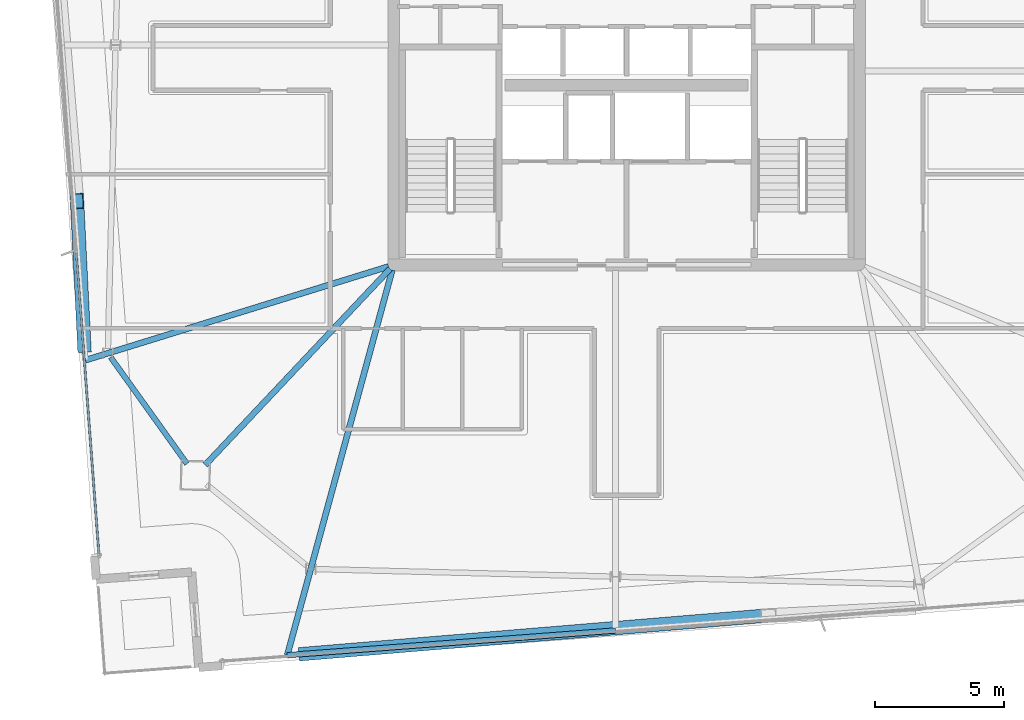
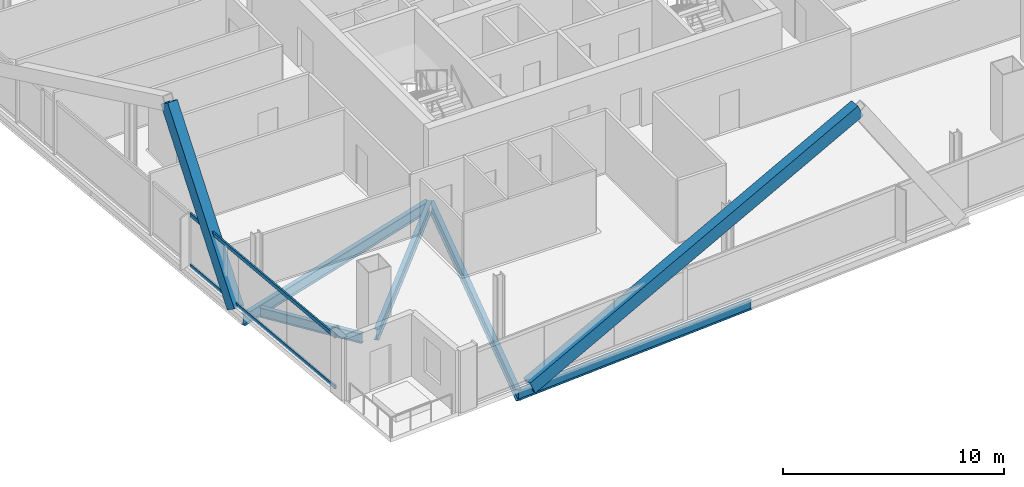
# One storey, part 3 of 23: 5 beams, 4 members, 1 element without a shape of its own.
"""IFC4 building model written with IfcOpenShell, lengths in metres."""

from ifc_helpers import new_model, si_unit, direction, frame, origin, origin_2d, place, context, subcontext, project, spatial, hollow_rectangle, i_section, extrude, material, material_profile, profile_set, type_object, element, aggregate, save


model = new_model("IFC4")

# Units and contexts
model_context = context("Model", 3, precision=1e-05, world=origin(), true_north=direction((0.0, 1.0)))
body_context = subcontext(model_context, "Body", "Model", "MODEL_VIEW")
ifc_project = project(units=[si_unit("LENGTHUNIT", "METRE"), si_unit("AREAUNIT", "SQUARE_METRE"), si_unit("VOLUMEUNIT", "CUBIC_METRE"), si_unit("PLANEANGLEUNIT", "RADIAN"), si_unit("MASSUNIT", "GRAM", prefix="KILO")], contexts=[model_context])

# Site, building, storey
site_placement = place(None, origin())
site = spatial("IfcSite", under=ifc_project, at=site_placement, CompositionType="ELEMENT")
building_placement = place(site_placement, origin())
building = spatial("IfcBuilding", under=site, at=building_placement, Name="Haldenkirk Collegiate Tower", CompositionType="ELEMENT")
storey_placement = place(building_placement, frame((0.0, 0.0, 343.949951171875)))
storey = spatial("IfcBuildingStorey", under=building, at=storey_placement, Name="L87", CompositionType="ELEMENT", Elevation=343.949951171875)

# Beams
ifc_material_1 = material(Name="Steel ASTM A992 Grade 50", Category="steel")
ifc_material_profile_1 = material_profile(ifc_material_1, i_section(OverallWidth=0.22998046875, OverallDepth=0.616943359375, WebThickness=0.01318359375, FlangeThickness=0.022216796875, at=origin_2d()), Name="W24X94")
ifc_profile_set_1 = profile_set([ifc_material_profile_1], Name="Steel ASTM A992 Grade 50")
beam_type_1 = type_object("IfcBeamType", Name="BM-GIRDER-W24X94", PredefinedType="BEAM", material=ifc_profile_set_1)
beam_1_placement = place(storey_placement, frame((19.717041015625, 10.2705078125, -0.568359375), z_axis=(0.685767478835, 0.72782069562, 0.0), x_axis=(-0.72782069562, 0.685767478835, 0.0)))
element("IfcBeam", 1, at=beam_1_placement, inside=storey, type_object=beam_type_1, Name="L87 primary floor girder 04", PredefinedType="BEAM", context=body_context, shape_type="SweptSolid", body=[
    extrude(i_section(OverallWidth=0.22998046875, OverallDepth=0.616943359375, WebThickness=0.01318359375, FlangeThickness=0.022216796875, at=origin_2d()), origin(), (0.0, 0.0, 1.0), 10.4150390625),
])
beam_2_placement = place(storey_placement, frame((15.0869140625, 14.319580078125, -0.568359375), z_axis=(0.955444807213, 0.295169816155, 0.0), x_axis=(-0.295169816155, 0.955444807213, 0.0)))
element("IfcBeam", 2, at=beam_2_placement, inside=storey, type_object=beam_type_1, Name="L87 primary floor girder 13", PredefinedType="BEAM", context=body_context, shape_type="SweptSolid", body=[
    extrude(i_section(OverallWidth=0.22998046875, OverallDepth=0.616943359375, WebThickness=0.01318359375, FlangeThickness=0.022216796875, at=origin_2d()), origin(), (0.0, 0.0, 1.0), 12.263671875),
])
beam_3_placement = place(storey_placement, frame((22.88818359375, 2.922119140625, -0.568359375), z_axis=(0.26309597552, 0.964769665602, 0.0), x_axis=(-0.964769665602, 0.26309597552, 0.0)))
element("IfcBeam", 3, at=beam_3_placement, inside=storey, type_object=beam_type_1, Name="L87 primary floor girder 14", PredefinedType="BEAM", context=body_context, shape_type="SweptSolid", body=[
    extrude(i_section(OverallWidth=0.22998046875, OverallDepth=0.616943359375, WebThickness=0.01318359375, FlangeThickness=0.022216796875, at=origin_2d()), origin(), (0.0, 0.0, 1.0), 15.423583984375),
])
ifc_material_profile_2 = material_profile(ifc_material_1, i_section(OverallWidth=0.2099609375, OverallDepth=0.537109375, WebThickness=0.010986328125, FlangeThickness=0.017333984375, at=origin_2d()), Name="W21X68")
ifc_profile_set_2 = profile_set([ifc_material_profile_2], Name="Steel ASTM A992 Grade 50")
beam_type_2 = type_object("IfcBeamType", Name="BM-SPANDREL-W21X68", PredefinedType="SPANDREL", material=ifc_profile_set_2)
beam_4_placement = place(storey_placement, frame((16.064208984375, 14.434814453125, -0.528564453125), z_axis=(0.582300220922, -0.812973832737, 0.0), x_axis=(0.812973832737, 0.582300220922, 0.0)))
element("IfcBeam", 4, at=beam_4_placement, inside=storey, type_object=beam_type_2, Name="L87 perimeter spandrel beam 12", PredefinedType="SPANDREL", context=body_context, shape_type="SweptSolid", body=[
    extrude(i_section(OverallWidth=0.2099609375, OverallDepth=0.537109375, WebThickness=0.010986328125, FlangeThickness=0.017333984375, at=origin_2d()), origin(), (0.0, 0.0, 1.0), 5.064453125),
])
beam_5_placement = place(storey_placement, frame((22.88818359375, 2.922119140625, -0.528564453125), z_axis=(0.997186586536, 0.074959399901, 0.0), x_axis=(-0.074959399901, 0.997186586536, 0.0)))
element("IfcBeam", 5, at=beam_5_placement, inside=storey, type_object=beam_type_2, Name="L87 outer facade edge beam 4A", PredefinedType="SPANDREL", context=body_context, shape_type="SweptSolid", body=[
    extrude(i_section(OverallWidth=0.2099609375, OverallDepth=0.537109375, WebThickness=0.010986328125, FlangeThickness=0.017333984375, at=origin_2d()), origin(), (0.0, 0.0, 1.0), 12.71533203125),
])

# Curtain wall, members
ifc_material_2 = material(Name="Anodised architectural bronze aluminium", Category="aluminium")
curtain_wall_type = type_object("IfcCurtainWallType", Name="CW-SYS1B-CONVEX-HI", PredefinedType="USERDEFINED", material=ifc_material_2)
curtain_wall_placement = place(storey_placement, origin())
curtain_wall = element("IfcCurtainWall", 6, at=curtain_wall_placement, inside=storey, type_object=curtain_wall_type, Name="L87 Upper tower high-wind convex bronze unitised curtain wall", ObjectType="UNITISED CURTAIN WALL", PredefinedType="USERDEFINED")
ifc_material_profile_3 = material_profile(ifc_material_2, hollow_rectangle(XDim=0.0849609375, YDim=0.199951171875, WallThickness=0.0048828125, at=origin_2d()), Name="CW-TRN-1B")
ifc_profile_set_3 = profile_set([ifc_material_profile_3], Name="Anodised architectural bronze aluminium")
member_type_1 = type_object("IfcMemberType", Name="CW-TRN-1B", PredefinedType="USERDEFINED", material=ifc_profile_set_3)
member_1_placement = place(storey_placement, frame((15.608154296875, 6.85205078125, 0.04248046875), z_axis=(-0.074967243435, 0.997185996899, 0.0), x_axis=(-0.997185996899, -0.074967243435, 0.0)))
member_1 = element("IfcMember", 7, at=member_1_placement, type_object=member_type_1, Name="CW-1B transom 1.1", ObjectType="TRANSOM", PredefinedType="USERDEFINED", context=body_context, shape_type="SweptSolid", body=[
    extrude(hollow_rectangle(XDim=0.0849609375, YDim=0.199951171875, WallThickness=0.0048828125, at=origin_2d()), origin(), (0.0, 0.0, 1.0), 11.63916015625),
])
member_2_placement = place(storey_placement, frame((15.608154296875, 6.85205078125, 2.845458984375), z_axis=(-0.074967243435, 0.997185996899, 0.0), x_axis=(-0.997185996899, -0.074967243435, 0.0)))
member_2 = element("IfcMember", 8, at=member_2_placement, type_object=member_type_1, Name="CW-1B transom 1.2", ObjectType="TRANSOM", PredefinedType="USERDEFINED", context=body_context, shape_type="SweptSolid", body=[
    extrude(hollow_rectangle(XDim=0.0849609375, YDim=0.199951171875, WallThickness=0.0048828125, at=origin_2d()), origin(), (0.0, 0.0, 1.0), 11.63916015625),
])
aggregate(curtain_wall, [member_1, member_2])

# Members
ifc_material_3 = material(Name="Steel ASTM A572 Grade 50", Category="steel")
ifc_material_profile_4 = material_profile(ifc_material_3, hollow_rectangle(XDim=0.52001953125, YDim=0.719970703125, WallThickness=0.035888671875, at=origin_2d()), Name="BOX720X520X36")
ifc_profile_set_4 = profile_set([ifc_material_profile_4], Name="Steel ASTM A572 Grade 50")
member_type_2 = type_object("IfcMemberType", Name="MBR-MEGABRACE-BOX720X520X36", PredefinedType="BRACE", material=ifc_profile_set_4)
member_3_placement = place(storey_placement, frame((15.0419921875, 14.917724609375, -0.27001953125), z_axis=(-0.028160751424, 0.564531183522, 0.824931218291), x_axis=(-0.998758138902, -0.049821481085, 0.0)))
element("IfcMember", 9, at=member_3_placement, inside=storey, type_object=member_type_2, Name="Perimeter Mega Brace Z6 L87-L88 NR", PredefinedType="BRACE", context=body_context, shape_type="SweptSolid", body=[
    extrude(hollow_rectangle(XDim=0.52001953125, YDim=0.719970703125, WallThickness=0.035888671875, at=origin_2d()), origin(), (0.0, 0.0, 1.0), 9.831298828125),
])
member_4_placement = place(storey_placement, frame((23.486328125, 2.967041015625, -0.27001953125), z_axis=(0.909090009175, 0.075289817457, 0.409739915808), x_axis=(-0.082536307988, 0.996588058259, 0.0)))
element("IfcMember", 10, at=member_4_placement, inside=storey, type_object=member_type_2, Name="Perimeter Mega Brace Z6 L87-L88 WL", PredefinedType="BRACE", context=body_context, shape_type="SweptSolid", body=[
    extrude(hollow_rectangle(XDim=0.52001953125, YDim=0.719970703125, WallThickness=0.035888671875, at=origin_2d()), origin(), (0.0, 0.0, 1.0), 19.793212890625),
])

save(model, "model.ifc")
